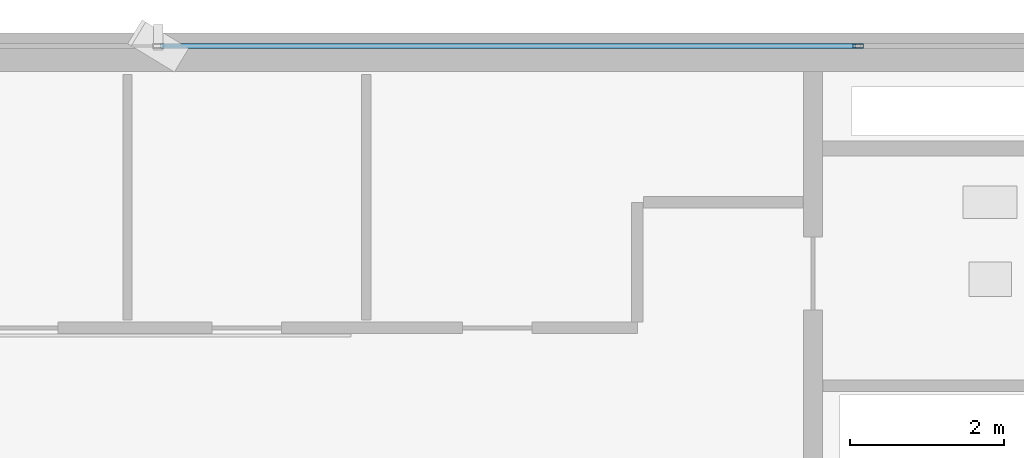
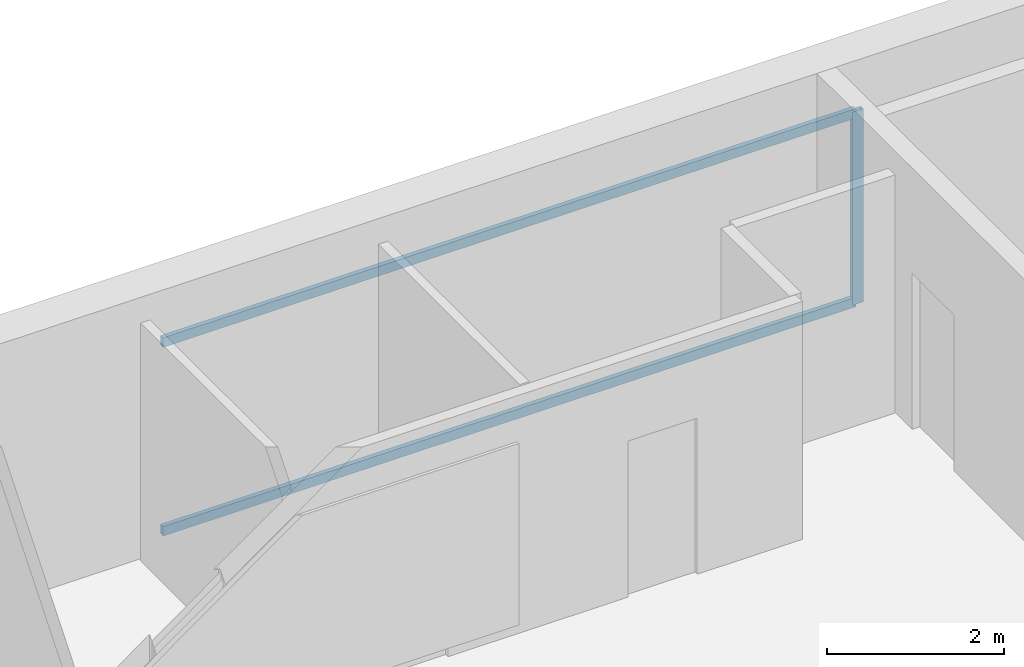
# One storey, part 23 of 32: 3 members, 1 element without a shape of its own.
"""IFC4 building model written with IfcOpenShell, lengths in metres."""

import ifcopenshell
import ifcopenshell.guid

model = None  # the IFC model being written
_history = None  # IfcOwnerHistory: only IFC2X3 demands one
_inside = {}  # id of a spatial element -> (the spatial element, [elements in it])
_under = {}  # id of a project, library or spatial element -> (it, [spatial elements below it])
_declared = {}  # id of a project -> (the project, [libraries it declares])
_typed = {}  # id of a type object -> (the type object, [elements of that type])
_made_of = {}  # id of a material, layer set ... -> (it, [elements and type objects made of it])


def new_model(schema):
    """Start an empty IFC model of exactly this schema.

    Asked for "IFC4X3", IfcOpenShell would pick the latest addendum, in which some entities
    have other attributes; the version numbers below select the first issue.
    IFC2X3 requires an IfcOwnerHistory on every rooted entity: one is made here for all.
    """
    global model, _history
    if schema == "IFC4X3":
        model = ifcopenshell.file(schema_version=(4, 3, 0, 0))
    else:
        model = ifcopenshell.file(schema=schema)
    _inside.clear()
    _under.clear()
    _declared.clear()
    _typed.clear()
    _made_of.clear()
    _history = None
    if model.schema == "IFC2X3":
        org = make("IfcOrganization", Name="unknown")
        user = make(
            "IfcPersonAndOrganization",
            ThePerson=make("IfcPerson", FamilyName="unknown"),
            TheOrganization=org,
        )
        app = make(
            "IfcApplication",
            ApplicationDeveloper=org,
            Version="unknown",
            ApplicationFullName="unknown",
            ApplicationIdentifier="unknown",
        )
        _history = make(
            "IfcOwnerHistory",
            OwningUser=user,
            OwningApplication=app,
            ChangeAction="ADDED",
            CreationDate=0,
        )
    return model


def make(cls, **values):
    """One entity of the class cls with the attributes given. An attribute that is None is left unset."""
    return model.create_entity(
        cls, **{name: value for name, value in values.items() if value is not None}
    )


def rooted(cls, **values):
    """An entity with a GlobalId (a new one), such as an element, a storey or a relation."""
    return make(cls, GlobalId=ifcopenshell.guid.new(), OwnerHistory=_history, **values)


def si_unit(unit_type, name, prefix=None):
    """IfcSIUnit, for example si_unit("LENGTHUNIT", "METRE", prefix="MILLI")."""
    return make("IfcSIUnit", UnitType=unit_type, Prefix=prefix, Name=name)


def assignment(units):
    """IfcUnitAssignment: the units of a project."""
    return None if units is None else make("IfcUnitAssignment", Units=units)


def point(xyz):
    """IfcCartesianPoint."""
    return None if xyz is None else make("IfcCartesianPoint", Coordinates=xyz)


def direction(xyz):
    """IfcDirection."""
    return None if xyz is None else make("IfcDirection", DirectionRatios=xyz)


def frame(location, z_axis=None, x_axis=None):
    """IfcAxis2Placement3D, a coordinate frame: its origin and axes. An axis left out is left unset."""
    return make(
        "IfcAxis2Placement3D",
        Location=point(location),
        Axis=direction(z_axis),
        RefDirection=direction(x_axis),
    )


def frame_2d(location, x_axis=None):
    """IfcAxis2Placement2D, a coordinate frame in the plane: its origin and x axis."""
    return make(
        "IfcAxis2Placement2D", Location=point(location), RefDirection=direction(x_axis)
    )


def origin():
    """The frame at (0, 0, 0) with its axes left unset."""
    return frame((0.0, 0.0, 0.0))


def origin_2d():
    """The frame at (0, 0) in the plane with its x axis left unset."""
    return frame_2d((0.0, 0.0))


def place(relative_to, where):
    """IfcLocalPlacement: puts the frame where relative to a parent placement (None: the world)."""
    return make(
        "IfcLocalPlacement", PlacementRelTo=relative_to, RelativePlacement=where
    )


def context(
    kind, dimensions, precision=None, world=None, true_north=None, identifier=None
):
    """IfcGeometricRepresentationContext, for example the 3D "Model" context."""
    return make(
        "IfcGeometricRepresentationContext",
        ContextIdentifier=identifier,
        ContextType=kind,
        CoordinateSpaceDimension=dimensions,
        Precision=precision,
        WorldCoordinateSystem=world,
        TrueNorth=true_north,
    )


def subcontext(parent, identifier, kind, view, scale=None):
    """IfcGeometricRepresentationSubContext, for example "Body" below "Model"."""
    return make(
        "IfcGeometricRepresentationSubContext",
        ContextIdentifier=identifier,
        ContextType=kind,
        ParentContext=parent,
        TargetScale=scale,
        TargetView=view,
    )


def project(units=None, contexts=None):
    """IfcProject with its units and contexts."""
    return rooted(
        "IfcProject",
        Name="project",
        RepresentationContexts=contexts,
        UnitsInContext=assignment(units),
    )


def spatial(cls, under=None, at=None, **own):
    """A site, building, storey or space (cls), placed at a placement, below another one or the project."""
    s = rooted(cls, ObjectPlacement=at, **own)
    if under is not None:
        _under.setdefault(under.id(), (under, []))[1].append(s)
    return s


def profile(cls, at=None, kind="AREA", **sizes):
    """A parametric profile (cls). Its sizes go by their IFC names, for example OverallWidth=200.0."""
    return make(cls, ProfileType=kind, Position=at, **sizes)


def hollow_rectangle(**sizes):
    """IfcRectangleHollowProfileDef."""
    return profile("IfcRectangleHollowProfileDef", **sizes)


def extrude(swept, where, along, depth):
    """IfcExtrudedAreaSolid: the profile swept, set in the frame where, extruded along a direction by depth."""
    return make(
        "IfcExtrudedAreaSolid",
        SweptArea=swept,
        Position=where,
        ExtrudedDirection=direction(along),
        Depth=depth,
    )


def shape(context_of_items, identifier, shape_type, items):
    """IfcShapeRepresentation: the items that make up one representation, for example the "Body"."""
    return make(
        "IfcShapeRepresentation",
        ContextOfItems=context_of_items,
        RepresentationIdentifier=identifier,
        RepresentationType=shape_type,
        Items=items,
    )


def source(mapping_origin, context_of_items, identifier, shape_type, items):
    """IfcRepresentationMap: a shape defined once, which mapped items show again and again."""
    return make(
        "IfcRepresentationMap",
        MappingOrigin=mapping_origin,
        MappedRepresentation=shape(context_of_items, identifier, shape_type, items),
    )


def transform(
    local_origin,
    x_axis=None,
    y_axis=None,
    z_axis=None,
    scale=None,
    scale2=None,
    scale3=None,
    uniform=True,
):
    """IfcCartesianTransformationOperator3D, or its non-uniform kind. x_axis, y_axis, z_axis: its Axis1, 2, 3."""
    if uniform:
        return make(
            "IfcCartesianTransformationOperator3D",
            Axis1=direction(x_axis),
            Axis2=direction(y_axis),
            LocalOrigin=point(local_origin),
            Scale=scale,
            Axis3=direction(z_axis),
        )
    return make(
        "IfcCartesianTransformationOperator3DnonUniform",
        Axis1=direction(x_axis),
        Axis2=direction(y_axis),
        LocalOrigin=point(local_origin),
        Scale=scale,
        Axis3=direction(z_axis),
        Scale2=scale2,
        Scale3=scale3,
    )


def mapped(mapping_source, mapping_target):
    """IfcMappedItem: shows the shape of a source again, moved by a transform."""
    return make(
        "IfcMappedItem", MappingSource=mapping_source, MappingTarget=mapping_target
    )


def material(Name=None, Category=None):
    """IfcMaterial."""
    return make("IfcMaterial", Name=Name, Category=Category)


def layer(
    of_material, thickness, ventilated=None, Name=None, Category=None, Priority=None
):
    """IfcMaterialLayer: one layer of a wall or slab, of a material (None: an air gap)."""
    return make(
        "IfcMaterialLayer",
        Material=of_material,
        LayerThickness=thickness,
        IsVentilated=ventilated,
        Name=Name,
        Category=Category,
        Priority=Priority,
    )


def layer_set(layers, Name=None):
    """IfcMaterialLayerSet."""
    return make("IfcMaterialLayerSet", MaterialLayers=layers, LayerSetName=Name)


def material_profile(
    of_material, cross_section, Name=None, Category=None, Priority=None
):
    """IfcMaterialProfile: a cross section and its material."""
    return make(
        "IfcMaterialProfile",
        Name=Name,
        Material=of_material,
        Profile=cross_section,
        Priority=Priority,
        Category=Category,
    )


def profile_set(profiles, Name=None, composite=None):
    """IfcMaterialProfileSet."""
    return make(
        "IfcMaterialProfileSet",
        Name=Name,
        MaterialProfiles=profiles,
        CompositeProfile=composite,
    )


def made_of(thing, what):
    """Note that an element or type object is made of a material, layer set ...; save() writes the relation."""
    if what is not None:
        _made_of.setdefault(what.id(), (what, []))[1].append(thing)
    return thing


def type_object(cls, material=None, **own):
    """A type object (cls), such as IfcWallType, which elements share."""
    return made_of(rooted(cls, **own), material)


def element(
    cls,
    number,
    at=None,
    inside=None,
    cuts=None,
    type_object=None,
    material=None,
    context=None,
    identifier="Body",
    shape_type=None,
    held_by="IfcProductDefinitionShape",
    body=None,
    shapes=None,
    **own,
):
    """One element of the class cls, such as IfcWall. Its Tag is "e" and its number.

    at: its placement. inside: the storey or other place that contains it. cuts: it is an
    opening in that element (IfcRelVoidsElement). A single representation is given by context,
    identifier, shape_type and body (its items); several are given by shapes. held_by: the class
    of the entity that holds the representations. save() writes the other relations.
    """
    e = rooted(cls, Tag="e%d" % number, ObjectPlacement=at, **own)
    if body is not None:
        shapes = [shape(context, identifier, shape_type, body)]
    if shapes is not None:
        e.Representation = make(held_by, Representations=shapes)
    if inside is not None:
        _inside.setdefault(inside.id(), (inside, []))[1].append(e)
    if cuts is not None:
        rooted(
            "IfcRelVoidsElement", RelatingBuildingElement=cuts, RelatedOpeningElement=e
        )
    if type_object is not None:
        _typed.setdefault(type_object.id(), (type_object, []))[1].append(e)
    return made_of(e, material)


def aggregate(whole, parts):
    """IfcRelAggregates: a whole, such as a stair, and the parts it consists of."""
    return rooted("IfcRelAggregates", RelatingObject=whole, RelatedObjects=parts)


def save(model, path):
    """Write the relations noted so far, then the file.

    IfcRelAggregates (storeys below a building ...), IfcRelContainedInSpatialStructure (elements
    in a storey), IfcRelDefinesByType, IfcRelAssociatesMaterial and IfcRelDeclares: one each for
    every whole, place, type object, material and project.
    """
    for whole, parts in _under.values():
        aggregate(whole, parts)
    for where, things in _inside.values():
        rooted(
            "IfcRelContainedInSpatialStructure",
            RelatedElements=things,
            RelatingStructure=where,
        )
    for kind, things in _typed.values():
        rooted("IfcRelDefinesByType", RelatedObjects=things, RelatingType=kind)
    for what, things in _made_of.values():
        rooted("IfcRelAssociatesMaterial", RelatedObjects=things, RelatingMaterial=what)
    for by, libraries in _declared.values():
        rooted("IfcRelDeclares", RelatingContext=by, RelatedDefinitions=libraries)
    model.write(path)


model = new_model("IFC4")

# Units and contexts
model_context = context("Model", 3, precision=1e-05, world=origin(), true_north=direction((0.0, 1.0)))
body_context = subcontext(model_context, "Body", "Model", "MODEL_VIEW")
ifc_project = project(units=[si_unit("LENGTHUNIT", "METRE"), si_unit("AREAUNIT", "SQUARE_METRE"), si_unit("VOLUMEUNIT", "CUBIC_METRE"), si_unit("PLANEANGLEUNIT", "RADIAN"), si_unit("MASSUNIT", "GRAM", prefix="KILO")], contexts=[model_context])

# Site, building, storey
site_placement = place(None, origin())
site = spatial("IfcSite", under=ifc_project, at=site_placement, CompositionType="ELEMENT")
building_placement = place(site_placement, origin())
building = spatial("IfcBuilding", under=site, at=building_placement, Name="Sumidabori Civic Tower", CompositionType="ELEMENT")
storey_placement = place(building_placement, frame((0.0, 0.0, 225.199951171875)))
storey = spatial("IfcBuildingStorey", under=building, at=storey_placement, Name="L58", CompositionType="ELEMENT", Elevation=225.199951171875)

# Curtain wall, members
ifc_material = material(Name="Anodised Bronze Aluminium AW-6063-T6", Category="aluminium")
ifc_layer = layer(ifc_material, 0.179931640625, Name="Anodised Bronze Aluminium AW-6063-T6")
ifc_layer_set = layer_set([ifc_layer], Name="Anodised Bronze Aluminium AW-6063-T6")
curtain_wall_type = type_object("IfcCurtainWallType", Name="CW-SYS-5", PredefinedType="NOTDEFINED", material=ifc_layer_set)
curtain_wall_placement = place(storey_placement, origin())
curtain_wall = element("IfcCurtainWall", 1, at=curtain_wall_placement, inside=storey, type_object=curtain_wall_type, Name="Curtain Wall CW:L58:R14", PredefinedType="NOTDEFINED")
ifc_material_profile_1 = material_profile(ifc_material, hollow_rectangle(XDim=0.06005859375, YDim=0.1298828125, WallThickness=0.0048828125, at=origin_2d()), Name="ALU TRANSOM 130x60")
ifc_profile_set_1 = profile_set([ifc_material_profile_1], Name="Anodised Bronze Aluminium AW-6063-T6")
member_type_1 = type_object("IfcMemberType", Name="CW-TRN-130", PredefinedType="USERDEFINED", material=ifc_profile_set_1)
shared_shape_1 = source(origin(), body_context, "Body", "SweptSolid", [
    extrude(hollow_rectangle(XDim=0.06005859375, YDim=0.1298828125, WallThickness=0.0048828125, at=origin_2d()), origin(), (0.0, 0.0, 1.0), 9.02490234375),
])
member_1_placement = place(storey_placement, frame((9.054931640625, 23.8798828125, 0.030029296875), z_axis=(-1.0, 0.0, 0.0), x_axis=(0.0, -1.0, 0.0)))
member_1 = element("IfcMember", 2, at=member_1_placement, type_object=member_type_1, Name="CW-5 transom 2.1", ObjectType="TRANSOM", PredefinedType="USERDEFINED", context=body_context, shape_type="MappedRepresentation", body=[
    mapped(shared_shape_1, transform((0.0, 0.0, 0.0), x_axis=(1.0, 0.0, 0.0), y_axis=(0.0, 1.0, 0.0), z_axis=(0.0, 0.0, 1.0), scale=1.0)),
])
member_2_placement = place(storey_placement, frame((9.054931640625, 23.8798828125, 2.630126953125), z_axis=(-1.0, 0.0, 0.0), x_axis=(0.0, -1.0, 0.0)))
member_2 = element("IfcMember", 3, at=member_2_placement, type_object=member_type_1, Name="CW-5 transom 2.2", ObjectType="TRANSOM", PredefinedType="USERDEFINED", context=body_context, shape_type="MappedRepresentation", body=[
    mapped(shared_shape_1, transform((0.0, 0.0, 0.0), x_axis=(1.0, 0.0, 0.0), y_axis=(0.0, 1.0, 0.0), z_axis=(0.0, 0.0, 1.0), scale=1.0)),
])
ifc_material_profile_2 = material_profile(ifc_material, hollow_rectangle(XDim=0.06005859375, YDim=0.139892578125, WallThickness=0.0048828125, at=origin_2d()), Name="ALU MULLION 140x60")
ifc_profile_set_2 = profile_set([ifc_material_profile_2], Name="Anodised Bronze Aluminium AW-6063-T6")
member_type_2 = type_object("IfcMemberType", Name="CW-MUL-140", PredefinedType="MULLION", material=ifc_profile_set_2)
shared_shape_2 = source(origin(), body_context, "Body", "SweptSolid", [
    extrude(hollow_rectangle(XDim=0.06005859375, YDim=0.139892578125, WallThickness=0.0048828125, at=origin_2d()), origin(), (0.0, 0.0, 1.0), 2.66015625),
])
member_3_placement = place(storey_placement, frame((9.0849609375, 23.8798828125, 0.0), z_axis=(0.0, 0.0, 1.0), x_axis=(0.0, -1.0, 0.0)))
member_3 = element("IfcMember", 4, at=member_3_placement, type_object=member_type_2, Name="CW-5 mullion 2", PredefinedType="MULLION", context=body_context, shape_type="MappedRepresentation", body=[
    mapped(shared_shape_2, transform((0.0, 0.0, 0.0), x_axis=(1.0, 0.0, 0.0), y_axis=(0.0, 1.0, 0.0), z_axis=(0.0, 0.0, 1.0), scale=1.0)),
])
aggregate(curtain_wall, [member_3, member_1, member_2])

save(model, "model.ifc")
